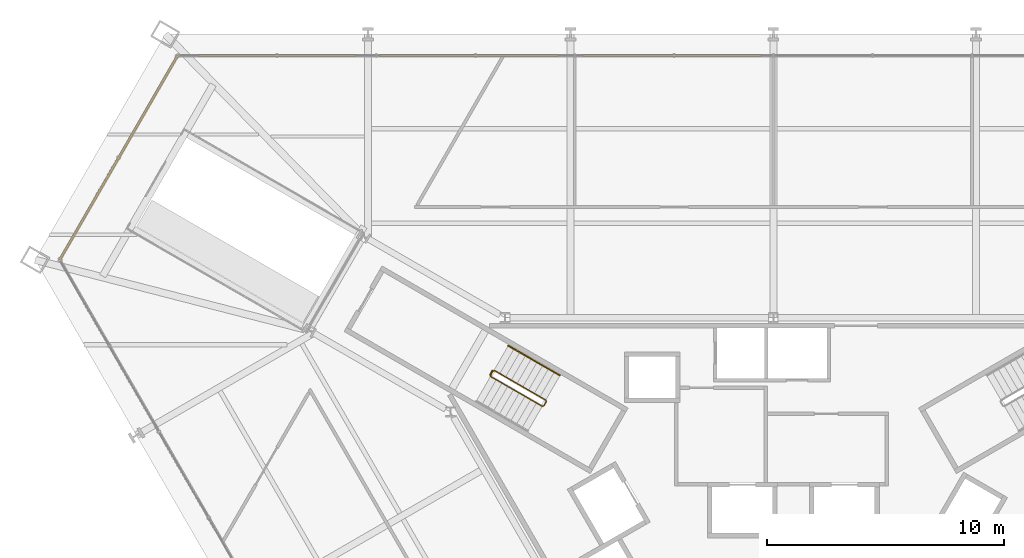
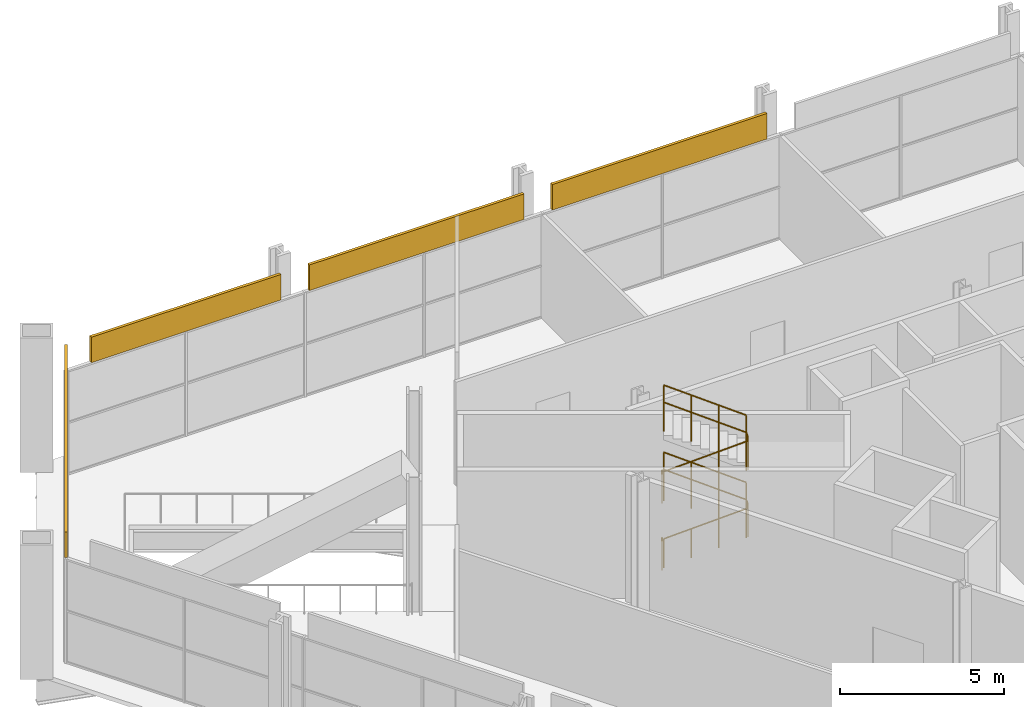
# One storey, part 18 of 20: 4 coverings, 4 railings.
"""IFC4 building model written with IfcOpenShell, lengths in metres."""

from ifc_helpers import new_model, si_unit, direction, frame, origin, origin_2d, place, context, subcontext, project, spatial, rectangle, circle, extrude, material, layer, layer_set, type_object, element, save


model = new_model("IFC4")

# Units and contexts
model_context = context("Model", 3, precision=1e-05, world=origin(), true_north=direction((0.0, 1.0)))
body_context = subcontext(model_context, "Body", "Model", "MODEL_VIEW")
ifc_project = project(units=[si_unit("LENGTHUNIT", "METRE"), si_unit("AREAUNIT", "SQUARE_METRE"), si_unit("VOLUMEUNIT", "CUBIC_METRE"), si_unit("PLANEANGLEUNIT", "RADIAN"), si_unit("MASSUNIT", "GRAM", prefix="KILO")], contexts=[model_context])

# Site, building, storey
site_placement = place(None, origin())
site = spatial("IfcSite", under=ifc_project, at=site_placement, CompositionType="ELEMENT")
building_placement = place(site_placement, origin())
building = spatial("IfcBuilding", under=site, at=building_placement, Name="Verrane Prism Tower", CompositionType="ELEMENT")
storey_placement = place(building_placement, frame((0.0, 0.0, 17.39990234375)))
storey = spatial("IfcBuildingStorey", under=building, at=storey_placement, Name="L02", CompositionType="ELEMENT", Elevation=17.39990234375)

# Coverings
ifc_material_1 = material(Name="Limestone cladding", Category="masonry")
ifc_layer = layer(ifc_material_1, 0.10009765625)
ifc_layer_set = layer_set([ifc_layer], Name="FA-100 stone fascia panel")
covering_type = type_object("IfcCoveringType", Name="FA-100 stone fascia panel", PredefinedType="CLADDING", material=ifc_layer_set)
covering_1_placement = place(storey_placement, frame((-4.280029296875, 20.27001953125, 3.89013671875), z_axis=(0.0, 0.0, 1.0), x_axis=(-1.0, 0.0, 0.0)))
element("IfcCovering", 1, at=covering_1_placement, inside=storey, type_object=covering_type, Name="Stone fascia L02 2.4", PredefinedType="CLADDING", context=body_context, shape_type="SweptSolid", body=[
    extrude(rectangle(XDim=7.56005859375, YDim=0.10009765625, at=origin_2d()), origin(), (0.0, 0.0, 1.0), 0.949951171875),
])
covering_2_placement = place(storey_placement, frame((-12.8349609375, 20.27001953125, 3.89013671875), z_axis=(0.0, 0.0, 1.0), x_axis=(-1.0, 0.0, 0.0)))
element("IfcCovering", 2, at=covering_2_placement, inside=storey, type_object=covering_type, Name="Stone fascia L02 2.5", PredefinedType="CLADDING", context=body_context, shape_type="SweptSolid", body=[
    extrude(rectangle(XDim=7.550048828125, YDim=0.10009765625, at=origin_2d()), origin(), (0.0, 0.0, 1.0), 0.949951171875),
])
covering_3_placement = place(storey_placement, frame((-20.948486328125, 20.27001953125, 3.89013671875), z_axis=(0.0, 0.0, 1.0), x_axis=(-1.0, 0.0, 0.0)))
element("IfcCovering", 3, at=covering_3_placement, inside=storey, type_object=covering_type, Name="Stone fascia L02 2.6", PredefinedType="CLADDING", context=body_context, shape_type="SweptSolid", body=[
    extrude(rectangle(XDim=6.6767578125, YDim=0.10009765625, at=origin_2d()), origin(), (0.0, 0.0, 1.0), 0.949951171875),
])
covering_4_placement = place(storey_placement, frame((-27.63818359375, 15.956787109375, 3.89013671875), z_axis=(0.0, 0.0, 1.0), x_axis=(-0.499999190728, -0.866025871017, 0.0)))
element("IfcCovering", 4, at=covering_4_placement, inside=storey, type_object=covering_type, Name="Stone fascia L02 3.1", PredefinedType="CLADDING", context=body_context, shape_type="SweptSolid", body=[
    extrude(rectangle(XDim=9.960693359375, YDim=0.10009765625, at=origin_2d()), origin(), (0.0, 0.0, 1.0), 0.949951171875),
])

# Railings
ifc_material_2 = material(Name="Steel A36 rail and posts, no infill", Category="steel")
railing_type_1 = type_object("IfcRailingType", Name="Stair guard 1100 steel rail and posts", PredefinedType="GUARDRAIL", material=ifc_material_2)
railing_1_placement = place(storey_placement, frame((-11.939453125, 6.72021484375, 0.125)))
element("IfcRailing", 5, at=railing_1_placement, inside=storey, type_object=railing_type_1, Name="Stair 2 guard", PredefinedType="GUARDRAIL", context=body_context, shape_type="SweptSolid", body=[
    extrude(circle(Radius=0.02392578125, at=origin_2d()), frame((0.0, 0.0, 1.076171875), z_axis=(0.790797836412, -0.456573177506, 0.407651463272), x_axis=(0.500004791531, 0.866022637375, 0.0)), (0.0, 0.0, 1.0), 2.759765625),
    extrude(circle(Radius=0.02392578125, at=origin_2d()), frame((2.182373046875, -1.260009765625, 2.201171875), z_axis=(0.965715946433, 0.259601060869, 0.0), x_axis=(-0.259601060869, 0.965715946433, 0.0)), (0.0, 0.0, 1.0), 0.070556640625),
    extrude(circle(Radius=0.02392578125, at=origin_2d()), frame((2.25048828125, -1.24169921875, 2.201171875), z_axis=(0.500603037456, 0.865676959893, 0.0), x_axis=(-0.865676959893, 0.500603037456, 0.0)), (0.0, 0.0, 1.0), 0.199951171875),
    extrude(circle(Radius=0.02392578125, at=origin_2d()), frame((2.3505859375, -1.068603515625, 2.201171875), z_axis=(-0.127472697635, 0.475898071169, 0.870213615852), x_axis=(-0.965948051503, -0.258736085224, 0.0)), (0.0, 0.0, 1.0), 0.1435546875),
    extrude(circle(Radius=0.02392578125, at=origin_2d()), frame((2.332275390625, -1.000244140625, 2.326171875), z_axis=(-0.790797836412, 0.456573177506, 0.407651463272), x_axis=(-0.500004791531, -0.866022637375, 0.0)), (0.0, 0.0, 1.0), 2.759765625),
    extrude(circle(Radius=0.02392578125, at=origin_2d()), frame((0.14990234375, 0.259765625, 3.451171875), z_axis=(-0.659656118156, -0.751567565678, 0.0), x_axis=(0.751567565678, -0.659656118156, 0.0)), (0.0, 0.0, 1.0), 0.2548828125),
    extrude(circle(Radius=0.02392578125, at=origin_2d()), frame((-0.018310546875, 0.068115234375, 3.451171875), z_axis=(0.499158860599, 0.866510491504, 0.0), x_axis=(-0.866510491504, 0.499158860599, 0.0)), (0.0, 0.0, 1.0), 0.199951171875),
    extrude(circle(Radius=0.02392578125, at=origin_2d()), frame((0.08154296875, 0.241455078125, 3.451171875), z_axis=(-0.287267749739, -0.850622169137, 0.440362538522), x_axis=(0.947430582667, -0.3199613899, 0.0)), (0.0, 0.0, 1.0), 0.283935546875),
    extrude(circle(Radius=0.02392578125, at=origin_2d()), frame((0.0, 0.0, 3.576171875), z_axis=(0.790797836412, -0.456573177506, 0.407651463272), x_axis=(0.500004791531, 0.866022637375, 0.0)), (0.0, 0.0, 1.0), 2.759765625),
    extrude(circle(Radius=0.02392578125, at=origin_2d()), frame((2.182373046875, -1.260009765625, 4.701171875), z_axis=(0.965715946433, 0.259601060869, 0.0), x_axis=(-0.259601060869, 0.965715946433, 0.0)), (0.0, 0.0, 1.0), 0.070556640625),
    extrude(circle(Radius=0.02392578125, at=origin_2d()), frame((2.25048828125, -1.24169921875, 4.701171875), z_axis=(0.500603037456, 0.865676959893, 0.0), x_axis=(-0.865676959893, 0.500603037456, 0.0)), (0.0, 0.0, 1.0), 0.199951171875),
    extrude(circle(Radius=0.02392578125, at=origin_2d()), frame((2.3505859375, -1.068603515625, 4.701171875), z_axis=(-0.127472697635, 0.475898071169, 0.870213615852), x_axis=(-0.965948051503, -0.258736085224, 0.0)), (0.0, 0.0, 1.0), 0.1435546875),
    extrude(circle(Radius=0.02392578125, at=origin_2d()), frame((2.332275390625, -1.000244140625, 4.826171875), z_axis=(-0.790797836412, 0.456573177506, 0.407651463272), x_axis=(-0.500004791531, -0.866022637375, 0.0)), (0.0, 0.0, 1.0), 2.759765625),
    extrude(circle(Radius=0.02099609375, at=origin_2d()), origin(), (0.0, 0.0, 1.0), 1.052001953125),
    extrude(circle(Radius=0.02099609375, at=origin_2d()), frame((0.7275390625, -0.419921875, 0.375)), (0.0, 0.0, 1.0), 1.052001953125),
    extrude(circle(Radius=0.02099609375, at=origin_2d()), frame((1.454833984375, -0.840087890625, 0.75)), (0.0, 0.0, 1.0), 1.052001953125),
    extrude(circle(Radius=0.02099609375, at=origin_2d()), frame((2.182373046875, -1.260009765625, 1.125)), (0.0, 0.0, 1.0), 1.052001953125),
    extrude(circle(Radius=0.02099609375, at=origin_2d()), frame((2.25048828125, -1.24169921875, 1.125)), (0.0, 0.0, 1.0), 1.052001953125),
    extrude(circle(Radius=0.02099609375, at=origin_2d()), frame((2.3505859375, -1.068603515625, 1.125)), (0.0, 0.0, 1.0), 1.052001953125),
    extrude(circle(Radius=0.02099609375, at=origin_2d()), frame((2.332275390625, -1.000244140625, 1.25)), (0.0, 0.0, 1.0), 1.052001953125),
    extrude(circle(Radius=0.02099609375, at=origin_2d()), frame((1.604736328125, -0.580322265625, 1.625)), (0.0, 0.0, 1.0), 1.052001953125),
    extrude(circle(Radius=0.02099609375, at=origin_2d()), frame((0.87744140625, -0.16015625, 2.0)), (0.0, 0.0, 1.0), 1.052001953125),
    extrude(circle(Radius=0.02099609375, at=origin_2d()), frame((0.14990234375, 0.259765625, 2.375)), (0.0, 0.0, 1.0), 1.052001953125),
    extrude(circle(Radius=0.02099609375, at=origin_2d()), frame((-0.018310546875, 0.068115234375, 2.375)), (0.0, 0.0, 1.0), 1.052001953125),
    extrude(circle(Radius=0.02099609375, at=origin_2d()), frame((0.08154296875, 0.241455078125, 2.375)), (0.0, 0.0, 1.0), 1.052001953125),
    extrude(circle(Radius=0.02099609375, at=origin_2d()), frame((0.0, 0.0, 2.5)), (0.0, 0.0, 1.0), 1.052001953125),
    extrude(circle(Radius=0.02099609375, at=origin_2d()), frame((0.7275390625, -0.419921875, 2.875)), (0.0, 0.0, 1.0), 1.052001953125),
    extrude(circle(Radius=0.02099609375, at=origin_2d()), frame((1.454833984375, -0.840087890625, 3.25)), (0.0, 0.0, 1.0), 1.052001953125),
    extrude(circle(Radius=0.02099609375, at=origin_2d()), frame((2.182373046875, -1.260009765625, 3.625)), (0.0, 0.0, 1.0), 1.052001953125),
    extrude(circle(Radius=0.02099609375, at=origin_2d()), frame((2.25048828125, -1.24169921875, 3.625)), (0.0, 0.0, 1.0), 1.052001953125),
    extrude(circle(Radius=0.02099609375, at=origin_2d()), frame((2.3505859375, -1.068603515625, 3.625)), (0.0, 0.0, 1.0), 1.052001953125),
    extrude(circle(Radius=0.02099609375, at=origin_2d()), frame((2.332275390625, -1.000244140625, 3.75)), (0.0, 0.0, 1.0), 1.052001953125),
    extrude(circle(Radius=0.02099609375, at=origin_2d()), frame((1.604736328125, -0.580322265625, 4.125)), (0.0, 0.0, 1.0), 1.052001953125),
    extrude(circle(Radius=0.02099609375, at=origin_2d()), frame((0.87744140625, -0.16015625, 4.5)), (0.0, 0.0, 1.0), 1.052001953125),
    extrude(circle(Radius=0.02099609375, at=origin_2d()), frame((0.14990234375, 0.259765625, 4.875)), (0.0, 0.0, 1.0), 1.052001953125),
])
railing_2_placement = place(storey_placement, frame((-11.957763671875, 6.788330078125, 0.0)))
element("IfcRailing", 6, at=railing_2_placement, inside=storey, type_object=railing_type_1, Name="Stair 2 guard", PredefinedType="GUARDRAIL", context=body_context, shape_type="SweptSolid", body=[
    extrude(circle(Radius=0.02392578125, at=origin_2d()), frame((0.0, 0.0, 1.076171875), z_axis=(0.499158860599, 0.866510491504, 0.0), x_axis=(-0.866510491504, 0.499158860599, 0.0)), (0.0, 0.0, 1.0), 0.199951171875),
    extrude(circle(Radius=0.02099609375, at=origin_2d()), origin(), (0.0, 0.0, 1.0), 1.052001953125),
    extrude(circle(Radius=0.02099609375, at=origin_2d()), frame((0.099853515625, 0.17333984375, 0.0)), (0.0, 0.0, 1.0), 1.052001953125),
])
ifc_material_3 = material(Name="Steel A36 tube", Category="steel")
railing_type_2 = type_object("IfcRailingType", Name="Stair handrail 900 steel tube", PredefinedType="HANDRAIL", material=ifc_material_3)
for number, where, name in (
    (7, (-9.007080078125, 6.759033203125, 1.375), "Stair 2 handrail"),
    (8, (-9.007080078125, 6.759033203125, 3.875), "Stair 2 handrail"),
):
    element("IfcRailing", number, at=place(storey_placement, frame(where)), inside=storey, type_object=railing_type_2, Name=name, PredefinedType="HANDRAIL", context=body_context, shape_type="SweptSolid", body=[
        extrude(circle(Radius=0.02392578125, at=origin_2d()), frame((0.0, 0.0, 0.8759765625), z_axis=(-0.790797836412, 0.456573177506, 0.407651463272), x_axis=(-0.500004791531, -0.866022637375, 0.0)), (0.0, 0.0, 1.0), 2.759765625),
        extrude(circle(Radius=0.02099609375, at=origin_2d()), origin(), (0.0, 0.0, 1.0), 0.851806640625),
        extrude(circle(Radius=0.02099609375, at=origin_2d()), frame((-0.7275390625, 0.419921875, 0.375)), (0.0, 0.0, 1.0), 0.851806640625),
        extrude(circle(Radius=0.02099609375, at=origin_2d()), frame((-1.454833984375, 0.840087890625, 0.75)), (0.0, 0.0, 1.0), 0.851806640625),
        extrude(circle(Radius=0.02099609375, at=origin_2d()), frame((-2.182373046875, 1.260009765625, 1.125)), (0.0, 0.0, 1.0), 0.851806640625),
    ])

save(model, "model.ifc")
